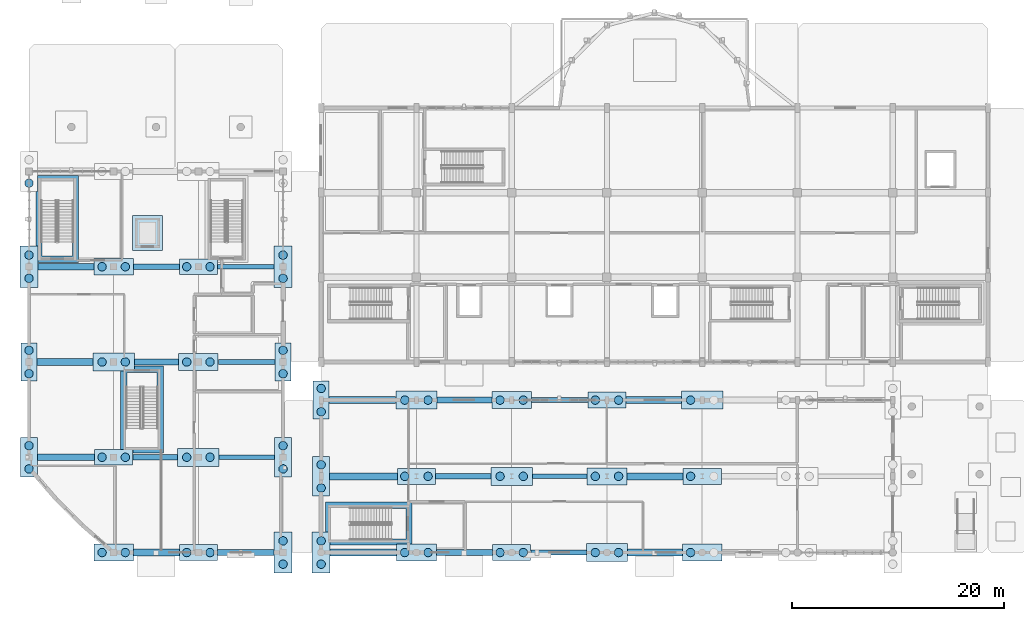
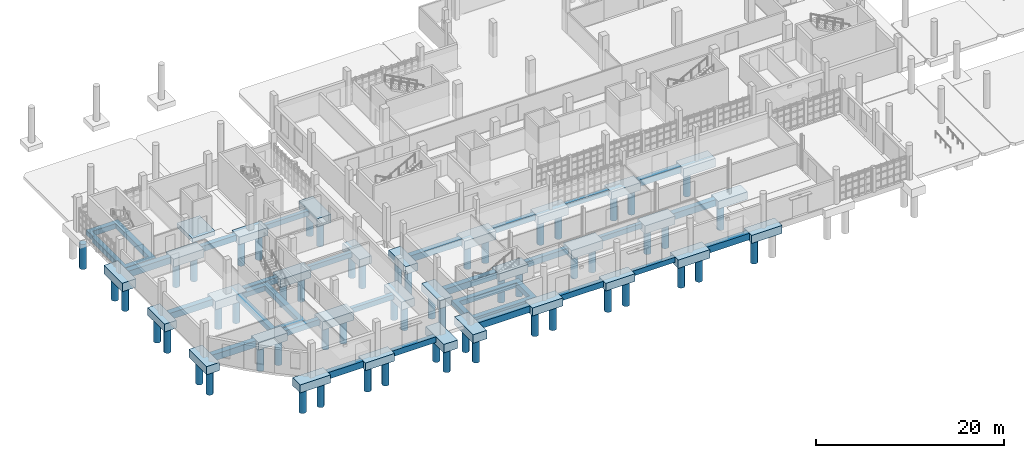
# One storey, part 1 of 63: 58 piles, 57 footings.
"""IFC4 building model written with IfcOpenShell, lengths in metres."""

import ifcopenshell
import ifcopenshell.guid

model = None  # the IFC model being written
_history = None  # IfcOwnerHistory: only IFC2X3 demands one
_inside = {}  # id of a spatial element -> (the spatial element, [elements in it])
_under = {}  # id of a project, library or spatial element -> (it, [spatial elements below it])
_declared = {}  # id of a project -> (the project, [libraries it declares])
_typed = {}  # id of a type object -> (the type object, [elements of that type])
_made_of = {}  # id of a material, layer set ... -> (it, [elements and type objects made of it])


def new_model(schema):
    """Start an empty IFC model of exactly this schema.

    Asked for "IFC4X3", IfcOpenShell would pick the latest addendum, in which some entities
    have other attributes; the version numbers below select the first issue.
    IFC2X3 requires an IfcOwnerHistory on every rooted entity: one is made here for all.
    """
    global model, _history
    if schema == "IFC4X3":
        model = ifcopenshell.file(schema_version=(4, 3, 0, 0))
    else:
        model = ifcopenshell.file(schema=schema)
    _inside.clear()
    _under.clear()
    _declared.clear()
    _typed.clear()
    _made_of.clear()
    _history = None
    if model.schema == "IFC2X3":
        org = make("IfcOrganization", Name="unknown")
        user = make(
            "IfcPersonAndOrganization",
            ThePerson=make("IfcPerson", FamilyName="unknown"),
            TheOrganization=org,
        )
        app = make(
            "IfcApplication",
            ApplicationDeveloper=org,
            Version="unknown",
            ApplicationFullName="unknown",
            ApplicationIdentifier="unknown",
        )
        _history = make(
            "IfcOwnerHistory",
            OwningUser=user,
            OwningApplication=app,
            ChangeAction="ADDED",
            CreationDate=0,
        )
    return model


def make(cls, **values):
    """One entity of the class cls with the attributes given. An attribute that is None is left unset."""
    return model.create_entity(
        cls, **{name: value for name, value in values.items() if value is not None}
    )


def rooted(cls, **values):
    """An entity with a GlobalId (a new one), such as an element, a storey or a relation."""
    return make(cls, GlobalId=ifcopenshell.guid.new(), OwnerHistory=_history, **values)


def si_unit(unit_type, name, prefix=None):
    """IfcSIUnit, for example si_unit("LENGTHUNIT", "METRE", prefix="MILLI")."""
    return make("IfcSIUnit", UnitType=unit_type, Prefix=prefix, Name=name)


def assignment(units):
    """IfcUnitAssignment: the units of a project."""
    return None if units is None else make("IfcUnitAssignment", Units=units)


def point(xyz):
    """IfcCartesianPoint."""
    return None if xyz is None else make("IfcCartesianPoint", Coordinates=xyz)


def direction(xyz):
    """IfcDirection."""
    return None if xyz is None else make("IfcDirection", DirectionRatios=xyz)


def frame(location, z_axis=None, x_axis=None):
    """IfcAxis2Placement3D, a coordinate frame: its origin and axes. An axis left out is left unset."""
    return make(
        "IfcAxis2Placement3D",
        Location=point(location),
        Axis=direction(z_axis),
        RefDirection=direction(x_axis),
    )


def frame_2d(location, x_axis=None):
    """IfcAxis2Placement2D, a coordinate frame in the plane: its origin and x axis."""
    return make(
        "IfcAxis2Placement2D", Location=point(location), RefDirection=direction(x_axis)
    )


def origin():
    """The frame at (0, 0, 0) with its axes left unset."""
    return frame((0.0, 0.0, 0.0))


def origin_2d():
    """The frame at (0, 0) in the plane with its x axis left unset."""
    return frame_2d((0.0, 0.0))


def place(relative_to, where):
    """IfcLocalPlacement: puts the frame where relative to a parent placement (None: the world)."""
    return make(
        "IfcLocalPlacement", PlacementRelTo=relative_to, RelativePlacement=where
    )


def context(
    kind, dimensions, precision=None, world=None, true_north=None, identifier=None
):
    """IfcGeometricRepresentationContext, for example the 3D "Model" context."""
    return make(
        "IfcGeometricRepresentationContext",
        ContextIdentifier=identifier,
        ContextType=kind,
        CoordinateSpaceDimension=dimensions,
        Precision=precision,
        WorldCoordinateSystem=world,
        TrueNorth=true_north,
    )


def subcontext(parent, identifier, kind, view, scale=None):
    """IfcGeometricRepresentationSubContext, for example "Body" below "Model"."""
    return make(
        "IfcGeometricRepresentationSubContext",
        ContextIdentifier=identifier,
        ContextType=kind,
        ParentContext=parent,
        TargetScale=scale,
        TargetView=view,
    )


def project(units=None, contexts=None):
    """IfcProject with its units and contexts."""
    return rooted(
        "IfcProject",
        Name="project",
        RepresentationContexts=contexts,
        UnitsInContext=assignment(units),
    )


def spatial(cls, under=None, at=None, **own):
    """A site, building, storey or space (cls), placed at a placement, below another one or the project."""
    s = rooted(cls, ObjectPlacement=at, **own)
    if under is not None:
        _under.setdefault(under.id(), (under, []))[1].append(s)
    return s


def polyline(points):
    """IfcPolyline through the points."""
    return make("IfcPolyline", Points=[point(p) for p in points])


def profile(cls, at=None, kind="AREA", **sizes):
    """A parametric profile (cls). Its sizes go by their IFC names, for example OverallWidth=200.0."""
    return make(cls, ProfileType=kind, Position=at, **sizes)


def rectangle(**sizes):
    """IfcRectangleProfileDef."""
    return profile("IfcRectangleProfileDef", **sizes)


def circle(**sizes):
    """IfcCircleProfileDef."""
    return profile("IfcCircleProfileDef", **sizes)


def outline(outer, holes=None, kind="AREA"):
    """IfcArbitraryClosedProfileDef: a profile drawn as a closed curve; with holes, ...WithVoids."""
    if holes is None:
        return make("IfcArbitraryClosedProfileDef", ProfileType=kind, OuterCurve=outer)
    return make(
        "IfcArbitraryProfileDefWithVoids",
        ProfileType=kind,
        OuterCurve=outer,
        InnerCurves=holes,
    )


def extrude(swept, where, along, depth):
    """IfcExtrudedAreaSolid: the profile swept, set in the frame where, extruded along a direction by depth."""
    return make(
        "IfcExtrudedAreaSolid",
        SweptArea=swept,
        Position=where,
        ExtrudedDirection=direction(along),
        Depth=depth,
    )


def shape(context_of_items, identifier, shape_type, items):
    """IfcShapeRepresentation: the items that make up one representation, for example the "Body"."""
    return make(
        "IfcShapeRepresentation",
        ContextOfItems=context_of_items,
        RepresentationIdentifier=identifier,
        RepresentationType=shape_type,
        Items=items,
    )


def material(Name=None, Category=None):
    """IfcMaterial."""
    return make("IfcMaterial", Name=Name, Category=Category)


def material_profile(
    of_material, cross_section, Name=None, Category=None, Priority=None
):
    """IfcMaterialProfile: a cross section and its material."""
    return make(
        "IfcMaterialProfile",
        Name=Name,
        Material=of_material,
        Profile=cross_section,
        Priority=Priority,
        Category=Category,
    )


def profile_set(profiles, Name=None, composite=None):
    """IfcMaterialProfileSet."""
    return make(
        "IfcMaterialProfileSet",
        Name=Name,
        MaterialProfiles=profiles,
        CompositeProfile=composite,
    )


def made_of(thing, what):
    """Note that an element or type object is made of a material, layer set ...; save() writes the relation."""
    if what is not None:
        _made_of.setdefault(what.id(), (what, []))[1].append(thing)
    return thing


def type_object(cls, material=None, **own):
    """A type object (cls), such as IfcWallType, which elements share."""
    return made_of(rooted(cls, **own), material)


def element(
    cls,
    number,
    at=None,
    inside=None,
    cuts=None,
    type_object=None,
    material=None,
    context=None,
    identifier="Body",
    shape_type=None,
    held_by="IfcProductDefinitionShape",
    body=None,
    shapes=None,
    **own,
):
    """One element of the class cls, such as IfcWall. Its Tag is "e" and its number.

    at: its placement. inside: the storey or other place that contains it. cuts: it is an
    opening in that element (IfcRelVoidsElement). A single representation is given by context,
    identifier, shape_type and body (its items); several are given by shapes. held_by: the class
    of the entity that holds the representations. save() writes the other relations.
    """
    e = rooted(cls, Tag="e%d" % number, ObjectPlacement=at, **own)
    if body is not None:
        shapes = [shape(context, identifier, shape_type, body)]
    if shapes is not None:
        e.Representation = make(held_by, Representations=shapes)
    if inside is not None:
        _inside.setdefault(inside.id(), (inside, []))[1].append(e)
    if cuts is not None:
        rooted(
            "IfcRelVoidsElement", RelatingBuildingElement=cuts, RelatedOpeningElement=e
        )
    if type_object is not None:
        _typed.setdefault(type_object.id(), (type_object, []))[1].append(e)
    return made_of(e, material)


def aggregate(whole, parts):
    """IfcRelAggregates: a whole, such as a stair, and the parts it consists of."""
    return rooted("IfcRelAggregates", RelatingObject=whole, RelatedObjects=parts)


def save(model, path):
    """Write the relations noted so far, then the file.

    IfcRelAggregates (storeys below a building ...), IfcRelContainedInSpatialStructure (elements
    in a storey), IfcRelDefinesByType, IfcRelAssociatesMaterial and IfcRelDeclares: one each for
    every whole, place, type object, material and project.
    """
    for whole, parts in _under.values():
        aggregate(whole, parts)
    for where, things in _inside.values():
        rooted(
            "IfcRelContainedInSpatialStructure",
            RelatedElements=things,
            RelatingStructure=where,
        )
    for kind, things in _typed.values():
        rooted("IfcRelDefinesByType", RelatedObjects=things, RelatingType=kind)
    for what, things in _made_of.values():
        rooted("IfcRelAssociatesMaterial", RelatedObjects=things, RelatingMaterial=what)
    for by, libraries in _declared.values():
        rooted("IfcRelDeclares", RelatingContext=by, RelatedDefinitions=libraries)
    model.write(path)


model = new_model("IFC4")

# Units and contexts
model_context = context("Model", 3, precision=1e-05, world=origin(), true_north=direction((0.0, 1.0)))
body_context = subcontext(model_context, "Body", "Model", "MODEL_VIEW")
ifc_project = project(units=[si_unit("LENGTHUNIT", "METRE"), si_unit("AREAUNIT", "SQUARE_METRE"), si_unit("VOLUMEUNIT", "CUBIC_METRE"), si_unit("PLANEANGLEUNIT", "RADIAN"), si_unit("MASSUNIT", "GRAM", prefix="KILO")], contexts=[model_context])

# Site, building, storey
site_placement = place(None, origin())
site = spatial("IfcSite", under=ifc_project, at=site_placement, CompositionType="ELEMENT")
building_placement = place(site_placement, origin())
building = spatial("IfcBuilding", under=site, at=building_placement, Name="Serraforn Aerial Cableway Station", CompositionType="ELEMENT")
storey_placement = place(building_placement, origin())
storey = spatial("IfcBuildingStorey", under=building, at=storey_placement, Name="L00", CompositionType="ELEMENT", Elevation=0.0)

# Footings
ifc_material = material(Name="Concrete C35/45", Category="concrete")
footing_type_1 = type_object("IfcFootingType", Name="FT-FB-450x650", PredefinedType="FOOTING_BEAM", material=ifc_material)
footing_1_placement = place(storey_placement, frame((0.0, 0.0, -0.64990234375)))
element("IfcFooting", 1, at=footing_1_placement, inside=storey, type_object=footing_type_1, Name="Footing Tie Beam W Y=9.0 #3", PredefinedType="FOOTING_BEAM", context=body_context, shape_type="SweptSolid", body=[
    extrude(outline(polyline([(23.195068359375, 9.22509765625), (23.195068359375, 8.77490234375), (17.955078125, 8.77490234375), (17.955078125, 9.22509765625), (23.195068359375, 9.22509765625)])), origin(), (0.0, 0.0, 1.0), 0.64990234375),
])
footing_2_placement = place(storey_placement, frame((0.0, 0.0, -0.64990234375)))
element("IfcFooting", 2, at=footing_2_placement, inside=storey, type_object=footing_type_1, Name="Footing Tie Beam W Y=18.0 #3", PredefinedType="FOOTING_BEAM", context=body_context, shape_type="SweptSolid", body=[
    extrude(outline(polyline([(23.2451171875, 18.22509765625), (23.2451171875, 17.77490234375), (17.8798828125, 17.77490234375), (17.8798828125, 18.22509765625), (23.2451171875, 18.22509765625)])), origin(), (0.0, 0.0, 1.0), 0.64990234375),
])
footing_3_placement = place(storey_placement, frame((0.0, 0.0, -0.64990234375)))
element("IfcFooting", 3, at=footing_3_placement, inside=storey, type_object=footing_type_1, Name="Footing Tie Beam W Y=27.0 #3", PredefinedType="FOOTING_BEAM", context=body_context, shape_type="SweptSolid", body=[
    extrude(outline(polyline([(23.14501953125, 27.22509765625), (23.14501953125, 26.77490234375), (17.804931640625, 26.77490234375), (17.804931640625, 27.22509765625), (23.14501953125, 27.22509765625)])), origin(), (0.0, 0.0, 1.0), 0.64990234375),
])
footing_4_placement = place(storey_placement, frame((0.0, 0.0, -0.64990234375)))
element("IfcFooting", 4, at=footing_4_placement, inside=storey, type_object=footing_type_1, Name="Footing Tie Beam CF Y=0.0 #3", PredefinedType="FOOTING_BEAM", context=body_context, shape_type="SweptSolid", body=[
    extrude(outline(polyline([(52.64501953125, 0.22509765625), (52.64501953125, -0.22509765625), (47.405029296875, -0.22509765625), (47.405029296875, 0.22509765625), (52.64501953125, 0.22509765625)])), origin(), (0.0, 0.0, 1.0), 0.64990234375),
])
footing_5_placement = place(storey_placement, frame((0.0, 0.0, -0.64990234375)))
element("IfcFooting", 5, at=footing_5_placement, inside=storey, type_object=footing_type_1, Name="Footing Tie Beam CF Y=7.2 #3", PredefinedType="FOOTING_BEAM", context=body_context, shape_type="SweptSolid", body=[
    extrude(outline(polyline([(52.719970703125, 7.425048828125), (52.719970703125, 6.97509765625), (47.554931640625, 6.97509765625), (47.554931640625, 7.425048828125), (52.719970703125, 7.425048828125)])), origin(), (0.0, 0.0, 1.0), 0.64990234375),
])
footing_6_placement = place(storey_placement, frame((0.0, 0.0, -0.64990234375)))
element("IfcFooting", 6, at=footing_6_placement, inside=storey, type_object=footing_type_1, Name="Footing Tie Beam CF Y=14.4 #3", PredefinedType="FOOTING_BEAM", context=body_context, shape_type="SweptSolid", body=[
    extrude(outline(polyline([(52.794921875, 14.625), (52.794921875, 14.175048828125), (47.47998046875, 14.175048828125), (47.47998046875, 14.625), (52.794921875, 14.625)])), origin(), (0.0, 0.0, 1.0), 0.64990234375),
])
footing_type_2 = type_object("IfcFootingType", Name="FT-FB-550x750", PredefinedType="FOOTING_BEAM", material=ifc_material)
footing_7_placement = place(storey_placement, frame((0.0, 0.0, -0.75)))
element("IfcFooting", 7, at=footing_7_placement, inside=storey, type_object=footing_type_2, Name="Footing Tie Beam W Y=0.0 #2", PredefinedType="FOOTING_BEAM", context=body_context, shape_type="SweptSolid", body=[
    extrude(outline(polyline([(23.14501953125, 0.27490234375), (23.14501953125, -0.27490234375), (17.804931640625, -0.27490234375), (17.804931640625, 0.27490234375), (23.14501953125, 0.27490234375)])), origin(), (0.0, 0.0, 1.0), 0.75),
])
footing_8_placement = place(storey_placement, frame((0.0, 0.0, -0.75)))
element("IfcFooting", 8, at=footing_8_placement, inside=storey, type_object=footing_type_2, Name="Footing Tie Beam W Y=9.0 #2", PredefinedType="FOOTING_BEAM", context=body_context, shape_type="SweptSolid", body=[
    extrude(outline(polyline([(14.044921875, 9.27490234375), (14.044921875, 8.72509765625), (9.804931640625, 8.72509765625), (9.804931640625, 9.27490234375), (14.044921875, 9.27490234375)])), origin(), (0.0, 0.0, 1.0), 0.75),
])
footing_9_placement = place(storey_placement, frame((0.0, 0.0, -0.75)))
element("IfcFooting", 9, at=footing_9_placement, inside=storey, type_object=footing_type_2, Name="Footing Tie Beam W Y=18.0 #2", PredefinedType="FOOTING_BEAM", context=body_context, shape_type="SweptSolid", body=[
    extrude(outline(polyline([(14.1201171875, 18.27490234375), (14.1201171875, 17.72509765625), (9.955078125, 17.72509765625), (9.955078125, 18.27490234375), (14.1201171875, 18.27490234375)])), origin(), (0.0, 0.0, 1.0), 0.75),
])
footing_10_placement = place(storey_placement, frame((0.0, 0.0, -0.75)))
element("IfcFooting", 10, at=footing_10_placement, inside=storey, type_object=footing_type_2, Name="Footing Tie Beam W Y=27.0 #2", PredefinedType="FOOTING_BEAM", context=body_context, shape_type="SweptSolid", body=[
    extrude(outline(polyline([(14.195068359375, 27.27490234375), (14.195068359375, 26.72509765625), (9.8798828125, 26.72509765625), (9.8798828125, 27.27490234375), (14.195068359375, 27.27490234375)])), origin(), (0.0, 0.0, 1.0), 0.75),
])
footing_11_placement = place(storey_placement, frame((0.0, 0.0, -0.75)))
element("IfcFooting", 11, at=footing_11_placement, inside=storey, type_object=footing_type_2, Name="Footing Tie Beam CF Y=0.0 #2", PredefinedType="FOOTING_BEAM", context=body_context, shape_type="SweptSolid", body=[
    extrude(outline(polyline([(43.794921875, 0.27490234375), (43.794921875, -0.27490234375), (38.47998046875, -0.27490234375), (38.47998046875, 0.27490234375), (43.794921875, 0.27490234375)])), origin(), (0.0, 0.0, 1.0), 0.75),
])
footing_12_placement = place(storey_placement, frame((0.0, 0.0, -0.75)))
element("IfcFooting", 12, at=footing_12_placement, inside=storey, type_object=footing_type_2, Name="Footing Tie Beam CF Y=7.2 #2", PredefinedType="FOOTING_BEAM", context=body_context, shape_type="SweptSolid", body=[
    extrude(outline(polyline([(43.64501953125, 7.47509765625), (43.64501953125, 6.925048828125), (38.405029296875, 6.925048828125), (38.405029296875, 7.47509765625), (43.64501953125, 7.47509765625)])), origin(), (0.0, 0.0, 1.0), 0.75),
])
footing_13_placement = place(storey_placement, frame((0.0, 0.0, -0.75)))
element("IfcFooting", 13, at=footing_13_placement, inside=storey, type_object=footing_type_2, Name="Footing Tie Beam CF Y=14.4 #2", PredefinedType="FOOTING_BEAM", context=body_context, shape_type="SweptSolid", body=[
    extrude(outline(polyline([(43.719970703125, 14.675048828125), (43.719970703125, 14.125), (38.554931640625, 14.125), (38.554931640625, 14.675048828125), (43.719970703125, 14.675048828125)])), origin(), (0.0, 0.0, 1.0), 0.75),
])
footing_type_3 = type_object("IfcFootingType", Name="FT-FB-650x850", PredefinedType="FOOTING_BEAM", material=ifc_material)
footing_14_placement = place(storey_placement, frame((0.0, 0.0, -0.85009765625)))
element("IfcFooting", 14, at=footing_14_placement, inside=storey, type_object=footing_type_3, Name="Footing Tie Beam W Y=0.0 #1", PredefinedType="FOOTING_BEAM", context=body_context, shape_type="SweptSolid", body=[
    extrude(outline(polyline([(14.195068359375, 0.324951171875), (14.195068359375, -0.324951171875), (9.8798828125, -0.324951171875), (9.8798828125, 0.324951171875), (14.195068359375, 0.324951171875)])), origin(), (0.0, 0.0, 1.0), 0.85009765625),
])
footing_15_placement = place(storey_placement, frame((0.0, 0.0, -0.85009765625)))
element("IfcFooting", 15, at=footing_15_placement, inside=storey, type_object=footing_type_3, Name="Footing Tie Beam W Y=9.0 #1", PredefinedType="FOOTING_BEAM", context=body_context, shape_type="SweptSolid", body=[
    extrude(outline(polyline([(6.195068359375, 9.324951171875), (6.195068359375, 8.675048828125), (0.804931640625, 8.675048828125), (0.804931640625, 9.324951171875), (6.195068359375, 9.324951171875)])), origin(), (0.0, 0.0, 1.0), 0.85009765625),
])
footing_16_placement = place(storey_placement, frame((0.0, 0.0, -0.85009765625)))
element("IfcFooting", 16, at=footing_16_placement, inside=storey, type_object=footing_type_3, Name="Footing Tie Beam W Y=18.0 #1", PredefinedType="FOOTING_BEAM", context=body_context, shape_type="SweptSolid", body=[
    extrude(outline(polyline([(6.044921875, 18.324951171875), (6.044921875, 17.675048828125), (0.7548828125, 17.675048828125), (0.7548828125, 18.324951171875), (6.044921875, 18.324951171875)])), origin(), (0.0, 0.0, 1.0), 0.85009765625),
])
footing_17_placement = place(storey_placement, frame((0.0, 0.0, -0.85009765625)))
element("IfcFooting", 17, at=footing_17_placement, inside=storey, type_object=footing_type_3, Name="Footing Tie Beam W Y=27.0 #1", PredefinedType="FOOTING_BEAM", context=body_context, shape_type="SweptSolid", body=[
    extrude(outline(polyline([(6.1201171875, 27.324951171875), (6.1201171875, 26.675048828125), (0.85498046875, 26.675048828125), (0.85498046875, 27.324951171875), (6.1201171875, 27.324951171875)])), origin(), (0.0, 0.0, 1.0), 0.85009765625),
])
footing_18_placement = place(storey_placement, frame((0.0, 0.0, -0.85009765625)))
element("IfcFooting", 18, at=footing_18_placement, inside=storey, type_object=footing_type_3, Name="Footing Tie Beam CF Y=0.0 #1", PredefinedType="FOOTING_BEAM", context=body_context, shape_type="SweptSolid", body=[
    extrude(outline(polyline([(34.719970703125, 0.324951171875), (34.719970703125, -0.324951171875), (28.455078125, -0.324951171875), (28.455078125, 0.324951171875), (34.719970703125, 0.324951171875)])), origin(), (0.0, 0.0, 1.0), 0.85009765625),
])
footing_19_placement = place(storey_placement, frame((0.0, 0.0, -0.85009765625)))
element("IfcFooting", 19, at=footing_19_placement, inside=storey, type_object=footing_type_3, Name="Footing Tie Beam CF Y=0.0 #4", PredefinedType="FOOTING_BEAM", context=body_context, shape_type="SweptSolid", body=[
    extrude(outline(polyline([(61.719970703125, 0.324951171875), (61.719970703125, -0.324951171875), (56.554931640625, -0.324951171875), (56.554931640625, 0.324951171875), (61.719970703125, 0.324951171875)])), origin(), (0.0, 0.0, 1.0), 0.85009765625),
])
footing_20_placement = place(storey_placement, frame((0.0, 0.0, -0.85009765625)))
element("IfcFooting", 20, at=footing_20_placement, inside=storey, type_object=footing_type_3, Name="Footing Tie Beam CF Y=7.2 #1", PredefinedType="FOOTING_BEAM", context=body_context, shape_type="SweptSolid", body=[
    extrude(outline(polyline([(34.794921875, 7.52490234375), (34.794921875, 6.875), (28.405029296875, 6.875), (28.405029296875, 7.52490234375), (34.794921875, 7.52490234375)])), origin(), (0.0, 0.0, 1.0), 0.85009765625),
])
footing_21_placement = place(storey_placement, frame((0.0, 0.0, -0.85009765625)))
element("IfcFooting", 21, at=footing_21_placement, inside=storey, type_object=footing_type_3, Name="Footing Tie Beam CF Y=7.2 #4", PredefinedType="FOOTING_BEAM", context=body_context, shape_type="SweptSolid", body=[
    extrude(outline(polyline([(61.794921875, 7.52490234375), (61.794921875, 6.875), (56.47998046875, 6.875), (56.47998046875, 7.52490234375), (61.794921875, 7.52490234375)])), origin(), (0.0, 0.0, 1.0), 0.85009765625),
])
footing_22_placement = place(storey_placement, frame((0.0, 0.0, -0.85009765625)))
element("IfcFooting", 22, at=footing_22_placement, inside=storey, type_object=footing_type_3, Name="Footing Tie Beam CF Y=14.4 #1", PredefinedType="FOOTING_BEAM", context=body_context, shape_type="SweptSolid", body=[
    extrude(outline(polyline([(34.64501953125, 14.72509765625), (34.64501953125, 14.074951171875), (28.35498046875, 14.074951171875), (28.35498046875, 14.72509765625), (34.64501953125, 14.72509765625)])), origin(), (0.0, 0.0, 1.0), 0.85009765625),
])
footing_23_placement = place(storey_placement, frame((0.0, 0.0, -0.85009765625)))
element("IfcFooting", 23, at=footing_23_placement, inside=storey, type_object=footing_type_3, Name="Footing Tie Beam CF Y=14.4 #4", PredefinedType="FOOTING_BEAM", context=body_context, shape_type="SweptSolid", body=[
    extrude(outline(polyline([(61.64501953125, 14.72509765625), (61.64501953125, 14.074951171875), (56.405029296875, 14.074951171875), (56.405029296875, 14.72509765625), (61.64501953125, 14.72509765625)])), origin(), (0.0, 0.0, 1.0), 0.85009765625),
])
footing_type_4 = type_object("IfcFootingType", Name="FT-PC2-150x360", PredefinedType="PILE_CAP", material=ifc_material)
for number, where, z_axis, x_axis, name in (
    (24, (0.0, 18.0, -1.0), (0.0, 0.0, 1.0), (1.0, 0.0, 0.0), "Pile Cap W-1-C"),
    (25, (24.0, 18.0, -1.0), (0.0, 0.0, 1.0), (1.0, 0.0, 0.0), "Pile Cap W-4-C"),
    (26, (27.60009765625, 14.39990234375, -1.0), (0.0, 0.0, 1.0), (1.0, 0.0, 0.0), "Pile Cap CF-5-B2"),
):
    element("IfcFooting", number, at=place(storey_placement, frame(where, z_axis=z_axis, x_axis=x_axis)), inside=storey, type_object=footing_type_4, Name=name, PredefinedType="PILE_CAP", context=body_context, shape_type="SweptSolid", body=[
        extrude(rectangle(XDim=1.5, YDim=3.60009765625, at=origin_2d()), origin(), (0.0, 0.0, 1.0), 1.0),
    ])
footing_type_5 = type_object("IfcFootingType", Name="FT-PC2-160x375", PredefinedType="PILE_CAP", material=ifc_material)
for number, where, z_axis, x_axis, name in (
    (27, (0.0, 9.0, -1.0498046875), (0.0, 0.0, 1.0), (1.0, 0.0, 0.0), "Pile Cap W-1-B"),
    (28, (24.0, 9.0, -1.0498046875), (0.0, 0.0, 1.0), (1.0, 0.0, 0.0), "Pile Cap W-4-B"),
    (29, (27.60009765625, 7.199951171875, -1.0498046875), (0.0, 0.0, 1.0), (1.0, 0.0, 0.0), "Pile Cap CF-5-B1"),
):
    element("IfcFooting", number, at=place(storey_placement, frame(where, z_axis=z_axis, x_axis=x_axis)), inside=storey, type_object=footing_type_5, Name=name, PredefinedType="PILE_CAP", context=body_context, shape_type="SweptSolid", body=[
        extrude(rectangle(XDim=1.60009765625, YDim=3.75, at=origin_2d()), origin(), (0.0, 0.0, 1.0), 1.050048828125),
    ])
footing_type_6 = type_object("IfcFootingType", Name="FT-PC2-170x390", PredefinedType="PILE_CAP", material=ifc_material)
for number, where, z_axis, x_axis, name in (
    (30, (0.0, 27.0, -1.10009765625), (0.0, 0.0, 1.0), (1.0, 0.0, 0.0), "Pile Cap W-1-D"),
    (31, (24.0, 0.0, -1.10009765625), (0.0, 0.0, 1.0), (1.0, 0.0, 0.0), "Pile Cap W-4-A"),
    (32, (24.0, 27.0, -1.10009765625), (0.0, 0.0, 1.0), (1.0, 0.0, 0.0), "Pile Cap W-4-D"),
    (33, (27.60009765625, 0.0, -1.10009765625), (0.0, 0.0, 1.0), (1.0, 0.0, 0.0), "Pile Cap CF-5-A"),
):
    element("IfcFooting", number, at=place(storey_placement, frame(where, z_axis=z_axis, x_axis=x_axis)), inside=storey, type_object=footing_type_6, Name=name, PredefinedType="PILE_CAP", context=body_context, shape_type="SweptSolid", body=[
        extrude(rectangle(XDim=1.699951171875, YDim=3.89990234375, at=origin_2d()), origin(), (0.0, 0.0, 1.0), 1.10009765625),
    ])
footing_type_7 = type_object("IfcFootingType", Name="FT-PC2-360x150", PredefinedType="PILE_CAP", material=ifc_material)
for number, where, z_axis, x_axis, name in (
    (34, (8.0, 9.0, -1.0), (0.0, 0.0, 1.0), (1.0, 0.0, 0.0), "Pile Cap W-2-B"),
    (35, (16.0, 0.0, -1.0), (0.0, 0.0, 1.0), (1.0, 0.0, 0.0), "Pile Cap W-3-A"),
    (36, (16.0, 27.0, -1.0), (0.0, 0.0, 1.0), (1.0, 0.0, 0.0), "Pile Cap W-3-D"),
    (37, (36.60009765625, 7.199951171875, -1.0), (0.0, 0.0, 1.0), (1.0, 0.0, 0.0), "Pile Cap CF-6-B1"),
    (38, (45.60009765625, 0.0, -1.0), (0.0, 0.0, 1.0), (1.0, 0.0, 0.0), "Pile Cap CF-7-A"),
    (39, (54.60009765625, 14.39990234375, -1.0), (0.0, 0.0, 1.0), (1.0, 0.0, 0.0), "Pile Cap CF-8-B2"),
    (40, (63.60009765625, 7.199951171875, -1.0), (0.0, 0.0, 1.0), (1.0, 0.0, 0.0), "Pile Cap CF-9-B1"),
):
    element("IfcFooting", number, at=place(storey_placement, frame(where, z_axis=z_axis, x_axis=x_axis)), inside=storey, type_object=footing_type_7, Name=name, PredefinedType="PILE_CAP", context=body_context, shape_type="SweptSolid", body=[
        extrude(rectangle(XDim=3.60009765625, YDim=1.5, at=origin_2d()), origin(), (0.0, 0.0, 1.0), 1.0),
    ])
footing_type_8 = type_object("IfcFootingType", Name="FT-PC2-375x160", PredefinedType="PILE_CAP", material=ifc_material)
for number, where, z_axis, x_axis, name in (
    (41, (8.0, 0.0, -1.0498046875), (0.0, 0.0, 1.0), (1.0, 0.0, 0.0), "Pile Cap W-2-A"),
    (42, (8.0, 27.0, -1.0498046875), (0.0, 0.0, 1.0), (1.0, 0.0, 0.0), "Pile Cap W-2-D"),
    (43, (16.0, 18.0, -1.0498046875), (0.0, 0.0, 1.0), (1.0, 0.0, 0.0), "Pile Cap W-3-C"),
    (44, (36.60009765625, 0.0, -1.0498046875), (0.0, 0.0, 1.0), (1.0, 0.0, 0.0), "Pile Cap CF-6-A"),
    (45, (45.60009765625, 14.39990234375, -1.0498046875), (0.0, 0.0, 1.0), (1.0, 0.0, 0.0), "Pile Cap CF-7-B2"),
    (46, (54.60009765625, 7.199951171875, -1.0498046875), (0.0, 0.0, 1.0), (1.0, 0.0, 0.0), "Pile Cap CF-8-B1"),
    (47, (63.60009765625, 0.0, -1.0498046875), (0.0, 0.0, 1.0), (1.0, 0.0, 0.0), "Pile Cap CF-9-A"),
):
    element("IfcFooting", number, at=place(storey_placement, frame(where, z_axis=z_axis, x_axis=x_axis)), inside=storey, type_object=footing_type_8, Name=name, PredefinedType="PILE_CAP", context=body_context, shape_type="SweptSolid", body=[
        extrude(rectangle(XDim=3.75, YDim=1.60009765625, at=origin_2d()), origin(), (0.0, 0.0, 1.0), 1.050048828125),
    ])
footing_type_9 = type_object("IfcFootingType", Name="FT-PC2-390x170", PredefinedType="PILE_CAP", material=ifc_material)
for number, where, z_axis, x_axis, name in (
    (48, (8.0, 18.0, -1.10009765625), (0.0, 0.0, 1.0), (1.0, 0.0, 0.0), "Pile Cap W-2-C"),
    (49, (16.0, 9.0, -1.10009765625), (0.0, 0.0, 1.0), (1.0, 0.0, 0.0), "Pile Cap W-3-B"),
    (50, (36.60009765625, 14.39990234375, -1.10009765625), (0.0, 0.0, 1.0), (1.0, 0.0, 0.0), "Pile Cap CF-6-B2"),
    (51, (45.60009765625, 7.199951171875, -1.10009765625), (0.0, 0.0, 1.0), (1.0, 0.0, 0.0), "Pile Cap CF-7-B1"),
    (52, (54.60009765625, 0.0, -1.10009765625), (0.0, 0.0, 1.0), (1.0, 0.0, 0.0), "Pile Cap CF-8-A"),
    (53, (63.60009765625, 14.39990234375, -1.10009765625), (0.0, 0.0, 1.0), (1.0, 0.0, 0.0), "Pile Cap CF-9-B2"),
):
    element("IfcFooting", number, at=place(storey_placement, frame(where, z_axis=z_axis, x_axis=x_axis)), inside=storey, type_object=footing_type_9, Name=name, PredefinedType="PILE_CAP", context=body_context, shape_type="SweptSolid", body=[
        extrude(rectangle(XDim=3.89990234375, YDim=1.699951171875, at=origin_2d()), origin(), (0.0, 0.0, 1.0), 1.10009765625),
    ])
footing_type_10 = type_object("IfcFootingType", Name="FT-SF-750x550", PredefinedType="STRIP_FOOTING", material=ifc_material)
footing_24_placement = place(storey_placement, frame((0.0, 0.0, -0.550048828125)))
element("IfcFooting", 54, at=footing_24_placement, inside=storey, type_object=footing_type_10, Name="Lift Pit Foundation Mat LF-01", PredefinedType="STRIP_FOOTING", context=body_context, shape_type="SweptSolid", body=[
    extrude(outline(polyline([(9.800048828125, 28.550048828125), (9.800048828125, 31.85009765625), (12.60009765625, 31.85009765625), (12.60009765625, 28.550048828125), (9.800048828125, 28.550048828125)])), origin(), (0.0, 0.0, 1.0), 0.550048828125),
])
footing_type_11 = type_object("IfcFootingType", Name="FT-SF-900x650", PredefinedType="STRIP_FOOTING", material=ifc_material)
footing_25_placement = place(storey_placement, frame((0.0, 0.0, -0.64990234375)))
element("IfcFooting", 55, at=footing_25_placement, inside=storey, type_object=footing_type_11, Name="Stair Core Strip Footing ST-01", PredefinedType="STRIP_FOOTING", context=body_context, shape_type="SweptSolid", body=[
    extrude(outline(polyline([(4.699951171875, 35.60009765625), (4.699951171875, 27.39990234375), (0.85498046875, 27.39990234375), (0.85498046875, 28.955078125), (0.639892578125, 28.955078125), (0.639892578125, 34.1201171875), (0.804931640625, 34.1201171875), (0.804931640625, 35.60009765625), (4.699951171875, 35.60009765625)]), holes=[polyline([(4.10009765625, 28.0), (4.10009765625, 35.0), (1.239990234375, 35.0), (1.239990234375, 28.0), (4.10009765625, 28.0)])]), origin(), (0.0, 0.0, 1.0), 0.64990234375),
])
footing_26_placement = place(storey_placement, frame((0.0, 0.0, -0.64990234375)))
element("IfcFooting", 56, at=footing_26_placement, inside=storey, type_object=footing_type_11, Name="Stair Core Strip Footing ST-12", PredefinedType="STRIP_FOOTING", context=body_context, shape_type="SweptSolid", body=[
    extrude(outline(polyline([(12.699951171875, 17.60009765625), (12.699951171875, 9.39990234375), (9.804931640625, 9.39990234375), (9.804931640625, 9.7548828125), (8.639892578125, 9.7548828125), (8.639892578125, 17.14501953125), (9.955078125, 17.14501953125), (9.955078125, 17.60009765625), (12.699951171875, 17.60009765625)]), holes=[polyline([(12.10009765625, 10.0), (12.10009765625, 17.0), (9.239990234375, 17.0), (9.239990234375, 10.0), (12.10009765625, 10.0)])]), origin(), (0.0, 0.0, 1.0), 0.64990234375),
])
footing_27_placement = place(storey_placement, frame((0.0, 0.0, -0.64990234375)))
element("IfcFooting", 57, at=footing_27_placement, inside=storey, type_object=footing_type_11, Name="Stair Core Strip Footing ST-06", PredefinedType="STRIP_FOOTING", context=body_context, shape_type="SweptSolid", body=[
    extrude(outline(polyline([(28.455078125, 0.699951171875), (28.455078125, 1.955078125), (28.0, 1.955078125), (28.0, 4.760009765625), (36.199951171875, 4.760009765625), (36.199951171875, 0.804931640625), (34.719970703125, 0.804931640625), (34.719970703125, 0.699951171875), (28.455078125, 0.699951171875)]), holes=[polyline([(35.60009765625, 1.300048828125), (35.60009765625, 4.159912109375), (28.60009765625, 4.159912109375), (28.60009765625, 1.300048828125), (35.60009765625, 1.300048828125)])]), origin(), (0.0, 0.0, 1.0), 0.64990234375),
])

# Piles
ifc_material_profile_1 = material_profile(ifc_material, circle(Radius=0.39990234375, at=origin_2d()), Name="BORED PILE D800")
ifc_profile_set_1 = profile_set([ifc_material_profile_1], Name="Concrete C35/45")
pile_type_1 = type_object("IfcPileType", Name="PL-BORED-800A", PredefinedType="BORED", material=ifc_profile_set_1)
for number, where, z_axis, x_axis, name in (
    (58, (0.0, 34.89990234375, -0.949951171875), (0.0, 0.0, -1.0), (1.0, 0.0, 0.0), "Bored Pile W-1-E-1"),
    (59, (6.89990234375, 27.0, -0.949951171875), (0.0, 0.0, -1.0), (1.0, 0.0, 0.0), "Bored Pile W-2-D-1"),
    (60, (9.10009765625, 27.0, -0.949951171875), (0.0, 0.0, -1.0), (1.0, 0.0, 0.0), "Bored Pile W-2-D-2"),
    (61, (14.89990234375, 18.0, -0.949951171875), (0.0, 0.0, -1.0), (1.0, 0.0, 0.0), "Bored Pile W-3-C-1"),
    (62, (17.10009765625, 18.0, -0.949951171875), (0.0, 0.0, -1.0), (1.0, 0.0, 0.0), "Bored Pile W-3-C-2"),
    (63, (24.0, 7.89990234375, -0.949951171875), (0.0, 0.0, -1.0), (1.0, 0.0, 0.0), "Bored Pile W-4-B-1"),
    (64, (24.0, 10.10009765625, -0.949951171875), (0.0, 0.0, -1.0), (1.0, 0.0, 0.0), "Bored Pile W-4-B-2"),
):
    element("IfcPile", number, at=place(storey_placement, frame(where, z_axis=z_axis, x_axis=x_axis)), inside=storey, type_object=pile_type_1, Name=name, PredefinedType="BORED", context=body_context, shape_type="SweptSolid", body=[
        extrude(circle(Radius=0.39990234375, at=origin_2d()), origin(), (0.0, 0.0, 1.0), 3.25),
    ])
for number, where, z_axis, x_axis, name in (
    (65, (27.60009765625, -1.10009765625, -1.0), (0.0, 0.0, -1.0), (1.0, 0.0, 0.0), "Bored Pile CF-5-A-1"),
    (66, (27.60009765625, 1.10009765625, -1.0), (0.0, 0.0, -1.0), (1.0, 0.0, 0.0), "Bored Pile CF-5-A-2"),
):
    element("IfcPile", number, at=place(storey_placement, frame(where, z_axis=z_axis, x_axis=x_axis)), inside=storey, type_object=pile_type_1, Name=name, PredefinedType="BORED", context=body_context, shape_type="SweptSolid", body=[
        extrude(circle(Radius=0.39990234375, at=origin_2d()), origin(), (0.0, 0.0, 1.0), 3.199951171875),
    ])
for number, where, z_axis, x_axis, name in (
    (67, (44.5, 14.39990234375, -0.949951171875), (0.0, 0.0, -1.0), (1.0, 0.0, 0.0), "Bored Pile CF-7-B2-1"),
    (68, (46.699951171875, 14.39990234375, -0.949951171875), (0.0, 0.0, -1.0), (1.0, 0.0, 0.0), "Bored Pile CF-7-B2-2"),
    (69, (53.5, 7.199951171875, -0.949951171875), (0.0, 0.0, -1.0), (1.0, 0.0, 0.0), "Bored Pile CF-8-B1-1"),
    (70, (55.699951171875, 7.199951171875, -0.949951171875), (0.0, 0.0, -1.0), (1.0, 0.0, 0.0), "Bored Pile CF-8-B1-2"),
    (71, (62.5, 0.0, -0.949951171875), (0.0, 0.0, -1.0), (1.0, 0.0, 0.0), "Bored Pile CF-9-A-1"),
):
    element("IfcPile", number, at=place(storey_placement, frame(where, z_axis=z_axis, x_axis=x_axis)), inside=storey, type_object=pile_type_1, Name=name, PredefinedType="BORED", context=body_context, shape_type="SweptSolid", body=[
        extrude(circle(Radius=0.39990234375, at=origin_2d()), origin(), (0.0, 0.0, 1.0), 3.25),
    ])
ifc_material_profile_2 = material_profile(ifc_material, circle(Radius=0.39990234375, at=origin_2d()), Name="BORED PILE D800")
ifc_profile_set_2 = profile_set([ifc_material_profile_2], Name="Concrete C35/45")
pile_type_2 = type_object("IfcPileType", Name="PL-BORED-800B", PredefinedType="BORED", material=ifc_profile_set_2)
for number, where, z_axis, x_axis, name in (
    (72, (0.0, 7.89990234375, -0.949951171875), (0.0, 0.0, -1.0), (1.0, 0.0, 0.0), "Bored Pile W-1-B-1"),
    (73, (0.0, 10.10009765625, -0.949951171875), (0.0, 0.0, -1.0), (1.0, 0.0, 0.0), "Bored Pile W-1-B-2"),
    (74, (6.89990234375, 0.0, -0.949951171875), (0.0, 0.0, -1.0), (1.0, 0.0, 0.0), "Bored Pile W-2-A-1"),
    (75, (9.10009765625, 0.0, -0.949951171875), (0.0, 0.0, -1.0), (1.0, 0.0, 0.0), "Bored Pile W-2-A-2"),
):
    element("IfcPile", number, at=place(storey_placement, frame(where, z_axis=z_axis, x_axis=x_axis)), inside=storey, type_object=pile_type_2, Name=name, PredefinedType="BORED", context=body_context, shape_type="SweptSolid", body=[
        extrude(circle(Radius=0.39990234375, at=origin_2d()), origin(), (0.0, 0.0, 1.0), 3.25),
    ])
for number, where, z_axis, x_axis, name in (
    (76, (14.89990234375, 27.0, -0.89990234375), (0.0, 0.0, -1.0), (1.0, 0.0, 0.0), "Bored Pile W-3-D-1"),
    (77, (17.10009765625, 27.0, -0.89990234375), (0.0, 0.0, -1.0), (1.0, 0.0, 0.0), "Bored Pile W-3-D-2"),
    (78, (24.0, 16.89990234375, -0.89990234375), (0.0, 0.0, -1.0), (1.0, 0.0, 0.0), "Bored Pile W-4-C-1"),
    (79, (24.0, 19.10009765625, -0.89990234375), (0.0, 0.0, -1.0), (1.0, 0.0, 0.0), "Bored Pile W-4-C-2"),
):
    element("IfcPile", number, at=place(storey_placement, frame(where, z_axis=z_axis, x_axis=x_axis)), inside=storey, type_object=pile_type_2, Name=name, PredefinedType="BORED", context=body_context, shape_type="SweptSolid", body=[
        extrude(circle(Radius=0.39990234375, at=origin_2d()), origin(), (0.0, 0.0, 1.0), 3.300048828125),
    ])
for number, where, z_axis, x_axis, name in (
    (80, (27.60009765625, 6.10009765625, -0.949951171875), (0.0, 0.0, -1.0), (1.0, 0.0, 0.0), "Bored Pile CF-5-B1-1"),
    (81, (27.60009765625, 8.300048828125, -0.949951171875), (0.0, 0.0, -1.0), (1.0, 0.0, 0.0), "Bored Pile CF-5-B1-2"),
    (82, (35.5, 0.0, -0.949951171875), (0.0, 0.0, -1.0), (1.0, 0.0, 0.0), "Bored Pile CF-6-A-1"),
    (83, (37.699951171875, 0.0, -0.949951171875), (0.0, 0.0, -1.0), (1.0, 0.0, 0.0), "Bored Pile CF-6-A-2"),
):
    element("IfcPile", number, at=place(storey_placement, frame(where, z_axis=z_axis, x_axis=x_axis)), inside=storey, type_object=pile_type_2, Name=name, PredefinedType="BORED", context=body_context, shape_type="SweptSolid", body=[
        extrude(circle(Radius=0.39990234375, at=origin_2d()), origin(), (0.0, 0.0, 1.0), 3.25),
    ])
for number, where, z_axis, x_axis, name in (
    (84, (53.5, 14.39990234375, -0.89990234375), (0.0, 0.0, -1.0), (1.0, 0.0, 0.0), "Bored Pile CF-8-B2-1"),
    (85, (55.699951171875, 14.39990234375, -0.89990234375), (0.0, 0.0, -1.0), (1.0, 0.0, 0.0), "Bored Pile CF-8-B2-2"),
    (86, (62.5, 7.199951171875, -0.89990234375), (0.0, 0.0, -1.0), (1.0, 0.0, 0.0), "Bored Pile CF-9-B1-1"),
):
    element("IfcPile", number, at=place(storey_placement, frame(where, z_axis=z_axis, x_axis=x_axis)), inside=storey, type_object=pile_type_2, Name=name, PredefinedType="BORED", context=body_context, shape_type="SweptSolid", body=[
        extrude(circle(Radius=0.39990234375, at=origin_2d()), origin(), (0.0, 0.0, 1.0), 3.300048828125),
    ])
ifc_material_profile_3 = material_profile(ifc_material, circle(Radius=0.39990234375, at=origin_2d()), Name="BORED PILE D800")
ifc_profile_set_3 = profile_set([ifc_material_profile_3], Name="Concrete C35/45")
pile_type_3 = type_object("IfcPileType", Name="PL-BORED-800C", PredefinedType="BORED", material=ifc_profile_set_3)
for number, where, z_axis, x_axis, name in (
    (87, (0.0, 16.89990234375, -0.89990234375), (0.0, 0.0, -1.0), (1.0, 0.0, 0.0), "Bored Pile W-1-C-1"),
    (88, (0.0, 19.10009765625, -0.89990234375), (0.0, 0.0, -1.0), (1.0, 0.0, 0.0), "Bored Pile W-1-C-2"),
    (89, (6.89990234375, 9.0, -0.89990234375), (0.0, 0.0, -1.0), (1.0, 0.0, 0.0), "Bored Pile W-2-B-1"),
    (90, (9.10009765625, 9.0, -0.89990234375), (0.0, 0.0, -1.0), (1.0, 0.0, 0.0), "Bored Pile W-2-B-2"),
    (91, (14.89990234375, 0.0, -0.89990234375), (0.0, 0.0, -1.0), (1.0, 0.0, 0.0), "Bored Pile W-3-A-1"),
    (92, (17.10009765625, 0.0, -0.89990234375), (0.0, 0.0, -1.0), (1.0, 0.0, 0.0), "Bored Pile W-3-A-2"),
):
    element("IfcPile", number, at=place(storey_placement, frame(where, z_axis=z_axis, x_axis=x_axis)), inside=storey, type_object=pile_type_3, Name=name, PredefinedType="BORED", context=body_context, shape_type="SweptSolid", body=[
        extrude(circle(Radius=0.39990234375, at=origin_2d()), origin(), (0.0, 0.0, 1.0), 3.300048828125),
    ])
for number, where, z_axis, x_axis, name in (
    (93, (24.0, 25.89990234375, -1.0), (0.0, 0.0, -1.0), (1.0, 0.0, 0.0), "Bored Pile W-4-D-1"),
    (94, (24.0, 28.10009765625, -1.0), (0.0, 0.0, -1.0), (1.0, 0.0, 0.0), "Bored Pile W-4-D-2"),
):
    element("IfcPile", number, at=place(storey_placement, frame(where, z_axis=z_axis, x_axis=x_axis)), inside=storey, type_object=pile_type_3, Name=name, PredefinedType="BORED", context=body_context, shape_type="SweptSolid", body=[
        extrude(circle(Radius=0.39990234375, at=origin_2d()), origin(), (0.0, 0.0, 1.0), 3.199951171875),
    ])
for number, where, z_axis, x_axis, name in (
    (95, (27.60009765625, 13.300048828125, -0.89990234375), (0.0, 0.0, -1.0), (1.0, 0.0, 0.0), "Bored Pile CF-5-B2-1"),
    (96, (27.60009765625, 15.5, -0.89990234375), (0.0, 0.0, -1.0), (1.0, 0.0, 0.0), "Bored Pile CF-5-B2-2"),
    (97, (35.5, 7.199951171875, -0.89990234375), (0.0, 0.0, -1.0), (1.0, 0.0, 0.0), "Bored Pile CF-6-B1-1"),
    (98, (37.699951171875, 7.199951171875, -0.89990234375), (0.0, 0.0, -1.0), (1.0, 0.0, 0.0), "Bored Pile CF-6-B1-2"),
    (99, (44.5, 0.0, -0.89990234375), (0.0, 0.0, -1.0), (1.0, 0.0, 0.0), "Bored Pile CF-7-A-1"),
    (100, (46.699951171875, 0.0, -0.89990234375), (0.0, 0.0, -1.0), (1.0, 0.0, 0.0), "Bored Pile CF-7-A-2"),
):
    element("IfcPile", number, at=place(storey_placement, frame(where, z_axis=z_axis, x_axis=x_axis)), inside=storey, type_object=pile_type_3, Name=name, PredefinedType="BORED", context=body_context, shape_type="SweptSolid", body=[
        extrude(circle(Radius=0.39990234375, at=origin_2d()), origin(), (0.0, 0.0, 1.0), 3.300048828125),
    ])
pile_placement = place(storey_placement, frame((62.5, 14.39990234375, -1.0), z_axis=(0.0, 0.0, -1.0), x_axis=(1.0, 0.0, 0.0)))
element("IfcPile", 101, at=pile_placement, inside=storey, type_object=pile_type_3, Name="Bored Pile CF-9-B2-1", PredefinedType="BORED", context=body_context, shape_type="SweptSolid", body=[
    extrude(circle(Radius=0.39990234375, at=origin_2d()), origin(), (0.0, 0.0, 1.0), 3.199951171875),
])
ifc_material_profile_4 = material_profile(ifc_material, circle(Radius=0.39990234375, at=origin_2d()), Name="BORED PILE D800")
ifc_profile_set_4 = profile_set([ifc_material_profile_4], Name="Concrete C35/45")
pile_type_4 = type_object("IfcPileType", Name="PL-BORED-800D", PredefinedType="BORED", material=ifc_profile_set_4)
for number, where, z_axis, x_axis, name in (
    (102, (0.0, 25.89990234375, -1.0), (0.0, 0.0, -1.0), (1.0, 0.0, 0.0), "Bored Pile W-1-D-1"),
    (103, (0.0, 28.10009765625, -1.0), (0.0, 0.0, -1.0), (1.0, 0.0, 0.0), "Bored Pile W-1-D-2"),
    (104, (6.89990234375, 18.0, -1.0), (0.0, 0.0, -1.0), (1.0, 0.0, 0.0), "Bored Pile W-2-C-1"),
    (105, (9.10009765625, 18.0, -1.0), (0.0, 0.0, -1.0), (1.0, 0.0, 0.0), "Bored Pile W-2-C-2"),
    (106, (14.89990234375, 9.0, -1.0), (0.0, 0.0, -1.0), (1.0, 0.0, 0.0), "Bored Pile W-3-B-1"),
    (107, (17.10009765625, 9.0, -1.0), (0.0, 0.0, -1.0), (1.0, 0.0, 0.0), "Bored Pile W-3-B-2"),
    (108, (24.0, -1.10009765625, -1.0), (0.0, 0.0, -1.0), (1.0, 0.0, 0.0), "Bored Pile W-4-A-1"),
    (109, (24.0, 1.10009765625, -1.0), (0.0, 0.0, -1.0), (1.0, 0.0, 0.0), "Bored Pile W-4-A-2"),
    (110, (35.5, 14.39990234375, -1.0), (0.0, 0.0, -1.0), (1.0, 0.0, 0.0), "Bored Pile CF-6-B2-1"),
    (111, (37.699951171875, 14.39990234375, -1.0), (0.0, 0.0, -1.0), (1.0, 0.0, 0.0), "Bored Pile CF-6-B2-2"),
    (112, (44.5, 7.199951171875, -1.0), (0.0, 0.0, -1.0), (1.0, 0.0, 0.0), "Bored Pile CF-7-B1-1"),
    (113, (46.699951171875, 7.199951171875, -1.0), (0.0, 0.0, -1.0), (1.0, 0.0, 0.0), "Bored Pile CF-7-B1-2"),
    (114, (53.5, 0.0, -1.0), (0.0, 0.0, -1.0), (1.0, 0.0, 0.0), "Bored Pile CF-8-A-1"),
    (115, (55.699951171875, 0.0, -1.0), (0.0, 0.0, -1.0), (1.0, 0.0, 0.0), "Bored Pile CF-8-A-2"),
):
    element("IfcPile", number, at=place(storey_placement, frame(where, z_axis=z_axis, x_axis=x_axis)), inside=storey, type_object=pile_type_4, Name=name, PredefinedType="BORED", context=body_context, shape_type="SweptSolid", body=[
        extrude(circle(Radius=0.39990234375, at=origin_2d()), origin(), (0.0, 0.0, 1.0), 3.199951171875),
    ])

save(model, "model.ifc")
